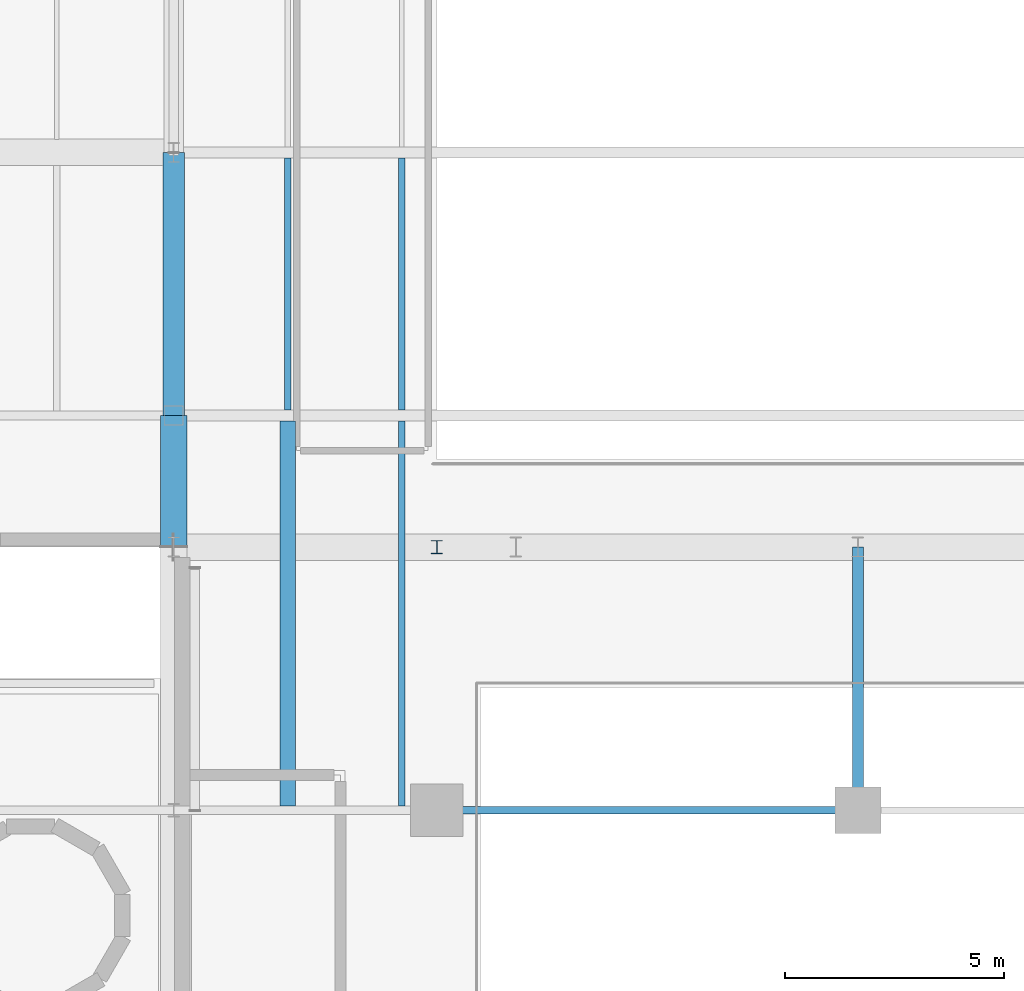
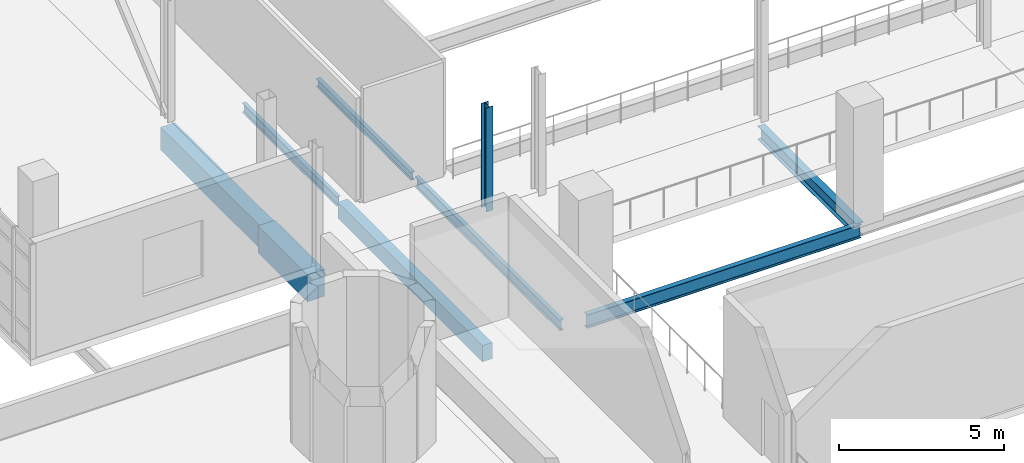
# One storey, part 27 of 85: 8 beams, 1 member.
"""IFC4 building model written with IfcOpenShell, lengths in metres."""

from ifc_helpers import new_model, si_unit, derived_unit, direction, frame, origin, origin_2d, place, context, subcontext, project, spatial, rectangle, i_section, extrude, material, material_profile, profile_set, type_object, element, save


model = new_model("IFC4")

# Units and contexts
model_context = context("Model", 3, precision=1e-05, world=origin(), true_north=direction((0.0, 1.0)))
body_context = subcontext(model_context, "Body", "Model", "MODEL_VIEW")
ifc_project = project(units=[si_unit("LENGTHUNIT", "METRE"), si_unit("AREAUNIT", "SQUARE_METRE"), si_unit("VOLUMEUNIT", "CUBIC_METRE"), si_unit("PLANEANGLEUNIT", "RADIAN"), si_unit("MASSUNIT", "GRAM", prefix="KILO"), derived_unit("THERMALTRANSMITTANCEUNIT", [(si_unit("POWERUNIT", "WATT"), 1), (si_unit("LENGTHUNIT", "METRE"), -2), (si_unit("THERMODYNAMICTEMPERATUREUNIT", "KELVIN"), -1)])], contexts=[model_context])

# Site, building, storey
site_placement = place(None, origin())
site = spatial("IfcSite", under=ifc_project, at=site_placement, CompositionType="ELEMENT")
building_placement = place(site_placement, origin())
building = spatial("IfcBuilding", under=site, at=building_placement, Name="Nallur Shell Playhouse", CompositionType="ELEMENT")
storey_placement = place(building_placement, frame((0.0, 0.0, 19.800048828125)))
storey = spatial("IfcBuildingStorey", under=building, at=storey_placement, Name="L05", CompositionType="ELEMENT", Elevation=19.800048828125)

# Beams
ifc_material_1 = material(Name="Steel E250", Category="steel")
ifc_material_profile_1 = material_profile(ifc_material_1, i_section(OverallWidth=0.139892578125, OverallDepth=0.300048828125, WebThickness=0.0078125, FlangeThickness=0.01318359375, FilletRadius=0.013916015625, at=origin_2d()), Name="ISMB 300")
ifc_profile_set_1 = profile_set([ifc_material_profile_1], Name="Steel E250")
beam_type_1 = type_object("IfcBeamType", Name="BM-JST-ISMB300", PredefinedType="JOIST", material=ifc_profile_set_1)
beam_1_placement = place(storey_placement, frame((69.199951171875, 50.123046875, -0.400146484375), z_axis=(0.0, 1.0, 0.0), x_axis=(-1.0, 0.0, 0.0)))
element("IfcBeam", 1, at=beam_1_placement, inside=storey, type_object=beam_type_1, Name="L05 secondary joist 8-F-1101", PredefinedType="JOIST", context=body_context, shape_type="SweptSolid", body=[
    extrude(i_section(OverallWidth=0.139892578125, OverallDepth=0.300048828125, WebThickness=0.0078125, FlangeThickness=0.01318359375, FilletRadius=0.013916015625, at=origin_2d()), origin(), (0.0, 0.0, 1.0), 5.75390625),
])
ifc_material_profile_2 = material_profile(ifc_material_1, i_section(OverallWidth=0.139892578125, OverallDepth=0.35009765625, WebThickness=0.008056640625, FlangeThickness=0.01416015625, FilletRadius=0.013916015625, at=origin_2d()), Name="ISMB 350")
ifc_profile_set_2 = profile_set([ifc_material_profile_2], Name="Steel E250")
beam_type_2 = type_object("IfcBeamType", Name="BM-JST-ISMB350", PredefinedType="JOIST", material=ifc_profile_set_2)
beam_2_placement = place(storey_placement, frame((66.60009765625, 50.123046875, -0.425048828125), z_axis=(0.0, 1.0, 0.0), x_axis=(-1.0, 0.0, 0.0)))
element("IfcBeam", 2, at=beam_2_placement, inside=storey, type_object=beam_type_2, Name="L05 secondary joist 8-F-1100", PredefinedType="JOIST", context=body_context, shape_type="SweptSolid", body=[
    extrude(i_section(OverallWidth=0.139892578125, OverallDepth=0.35009765625, WebThickness=0.008056640625, FlangeThickness=0.01416015625, FilletRadius=0.013916015625, at=origin_2d()), origin(), (0.0, 0.0, 1.0), 5.75390625),
])
ifc_material_profile_3 = material_profile(ifc_material_1, i_section(OverallWidth=0.139892578125, OverallDepth=0.39990234375, WebThickness=0.0087890625, FlangeThickness=0.01611328125, FilletRadius=0.013916015625, at=origin_2d()), Name="ISMB 400")
ifc_profile_set_3 = profile_set([ifc_material_profile_3], Name="Steel E250")
beam_type_3 = type_object("IfcBeamType", Name="BM-JST-ISMB400", PredefinedType="JOIST", material=ifc_profile_set_3)
beam_3_placement = place(storey_placement, frame((69.199951171875, 41.093017578125, -0.449951171875), z_axis=(0.0, 1.0, 0.0), x_axis=(-1.0, 0.0, 0.0)))
element("IfcBeam", 3, at=beam_3_placement, inside=storey, type_object=beam_type_3, Name="L05 secondary joist 8-E-1099", PredefinedType="JOIST", context=body_context, shape_type="SweptSolid", body=[
    extrude(i_section(OverallWidth=0.139892578125, OverallDepth=0.39990234375, WebThickness=0.0087890625, FlangeThickness=0.01611328125, FilletRadius=0.013916015625, at=origin_2d()), origin(), (0.0, 0.0, 1.0), 8.783935546875),
])
ifc_material_2 = material(Name="Concrete M30", Category="concrete")
ifc_material_profile_4 = material_profile(ifc_material_2, rectangle(XDim=0.35009765625, YDim=0.60009765625, at=origin_2d()), Name="RC 350x600")
ifc_profile_set_4 = profile_set([ifc_material_profile_4], Name="Concrete M30")
beam_type_4 = type_object("IfcBeamType", Name="BM-RC-350x600", PredefinedType="JOIST", material=ifc_profile_set_4)
beam_4_placement = place(storey_placement, frame((66.60009765625, 41.093017578125, -0.550048828125), z_axis=(0.0, 1.0, 0.0), x_axis=(-1.0, 0.0, 0.0)))
element("IfcBeam", 4, at=beam_4_placement, inside=storey, type_object=beam_type_4, Name="L05 secondary joist 8-E-1098", PredefinedType="JOIST", context=body_context, shape_type="SweptSolid", body=[
    extrude(rectangle(XDim=0.35009765625, YDim=0.60009765625, at=origin_2d()), origin(), (0.0, 0.0, 1.0), 8.783935546875),
])
ifc_material_3 = material(Name="Concrete M40", Category="concrete")
ifc_material_profile_5 = material_profile(ifc_material_3, rectangle(XDim=0.5, YDim=0.85009765625, at=origin_2d()), Name="RC 500x850")
ifc_profile_set_5 = profile_set([ifc_material_profile_5], Name="Concrete M40")
beam_type_5 = type_object("IfcBeamType", Name="BM-RC-500x850", PredefinedType="BEAM", material=ifc_profile_set_5)
beam_5_placement = place(storey_placement, frame((64.0, 50.0, -0.675048828125), z_axis=(0.0, 1.0, 0.0), x_axis=(-1.0, 0.0, 0.0)))
element("IfcBeam", 5, at=beam_5_placement, inside=storey, type_object=beam_type_5, Name="L05 girder Y-8-1021", PredefinedType="BEAM", context=body_context, shape_type="SweptSolid", body=[
    extrude(rectangle(XDim=0.5, YDim=0.85009765625, at=origin_2d()), origin(), (0.0, 0.0, 1.0), 6.0),
])
ifc_material_profile_6 = material_profile(ifc_material_3, rectangle(XDim=0.60009765625, YDim=1.0, at=origin_2d()), Name="RC 600x1000")
ifc_profile_set_6 = profile_set([ifc_material_profile_6], Name="Concrete M40")
beam_type_6 = type_object("IfcBeamType", Name="BM-RC-600x1000", PredefinedType="BEAM", material=ifc_profile_set_6)
beam_6_placement = place(storey_placement, frame((64.0, 47.0, -0.75), z_axis=(0.0, 1.0, 0.0), x_axis=(-1.0, 0.0, 0.0)))
element("IfcBeam", 6, at=beam_6_placement, inside=storey, type_object=beam_type_6, Name="L05 girder Y-8-1020", PredefinedType="BEAM", context=body_context, shape_type="SweptSolid", body=[
    extrude(rectangle(XDim=0.60009765625, YDim=1.0, at=origin_2d()), origin(), (0.0, 0.0, 1.0), 3.0),
])
ifc_material_4 = material(Name="Steel E350", Category="steel")
ifc_material_profile_7 = material_profile(ifc_material_4, i_section(OverallWidth=0.179931640625, OverallDepth=0.5, WebThickness=0.01025390625, FlangeThickness=0.01708984375, FilletRadius=0.01708984375, at=origin_2d()), Name="ISMB 500")
ifc_profile_set_7 = profile_set([ifc_material_profile_7], Name="Steel E350")
beam_type_7 = type_object("IfcBeamType", Name="BM-ST-ISMB500", PredefinedType="BEAM", material=ifc_profile_set_7)
beam_7_placement = place(storey_placement, frame((70.0, 41.0, -0.5), z_axis=(1.0, 0.0, 0.0), x_axis=(0.0, 1.0, 0.0)))
element("IfcBeam", 7, at=beam_7_placement, inside=storey, type_object=beam_type_7, Name="L05 girder X-E-954", PredefinedType="BEAM", context=body_context, shape_type="SweptSolid", body=[
    extrude(i_section(OverallWidth=0.179931640625, OverallDepth=0.5, WebThickness=0.01025390625, FlangeThickness=0.01708984375, FilletRadius=0.01708984375, at=origin_2d()), origin(), (0.0, 0.0, 1.0), 9.60009765625),
])
ifc_material_profile_8 = material_profile(ifc_material_4, i_section(OverallWidth=0.25, OverallDepth=0.5, WebThickness=0.010009765625, FlangeThickness=0.0146484375, FilletRadius=0.014892578125, at=origin_2d()), Name="ISWB 500")
ifc_profile_set_8 = profile_set([ifc_material_profile_8], Name="Steel E350")
beam_type_8 = type_object("IfcBeamType", Name="BM-ST-ISWB500", PredefinedType="BEAM", material=ifc_profile_set_8)
beam_8_placement = place(storey_placement, frame((79.60009765625, 41.0, -0.5), z_axis=(0.0, 1.0, 0.0), x_axis=(-1.0, 0.0, 0.0)))
element("IfcBeam", 8, at=beam_8_placement, inside=storey, type_object=beam_type_8, Name="L05 girder Y-10-1027", PredefinedType="BEAM", context=body_context, shape_type="SweptSolid", body=[
    extrude(i_section(OverallWidth=0.25, OverallDepth=0.5, WebThickness=0.010009765625, FlangeThickness=0.0146484375, FilletRadius=0.014892578125, at=origin_2d()), origin(), (0.0, 0.0, 1.0), 6.0),
])

# Member
ifc_material_profile_9 = material_profile(ifc_material_4, i_section(OverallWidth=0.25, OverallDepth=0.300048828125, WebThickness=0.009521484375, FlangeThickness=0.010498046875, FilletRadius=0.010986328125, at=origin_2d()), Name="ISHB 300")
ifc_profile_set_9 = profile_set([ifc_material_profile_9], Name="Steel E350")
member_type = type_object("IfcMemberType", Name="MB-FASCIA-POST", PredefinedType="POST", material=ifc_profile_set_9)
member_placement = place(storey_placement, frame((70.0, 47.0, 0.0), z_axis=(0.0, 0.0, 1.0), x_axis=(1.0, 0.0, 0.0)))
element("IfcMember", 9, at=member_placement, inside=storey, type_object=member_type, Name="Cantilever truss fascia post POST-GB-L05-09", PredefinedType="POST", context=body_context, shape_type="SweptSolid", body=[
    extrude(i_section(OverallWidth=0.25, OverallDepth=0.300048828125, WebThickness=0.009521484375, FlangeThickness=0.010498046875, FilletRadius=0.010986328125, at=origin_2d()), origin(), (0.0, 0.0, 1.0), 3.85595703125),
])

save(model, "model.ifc")
